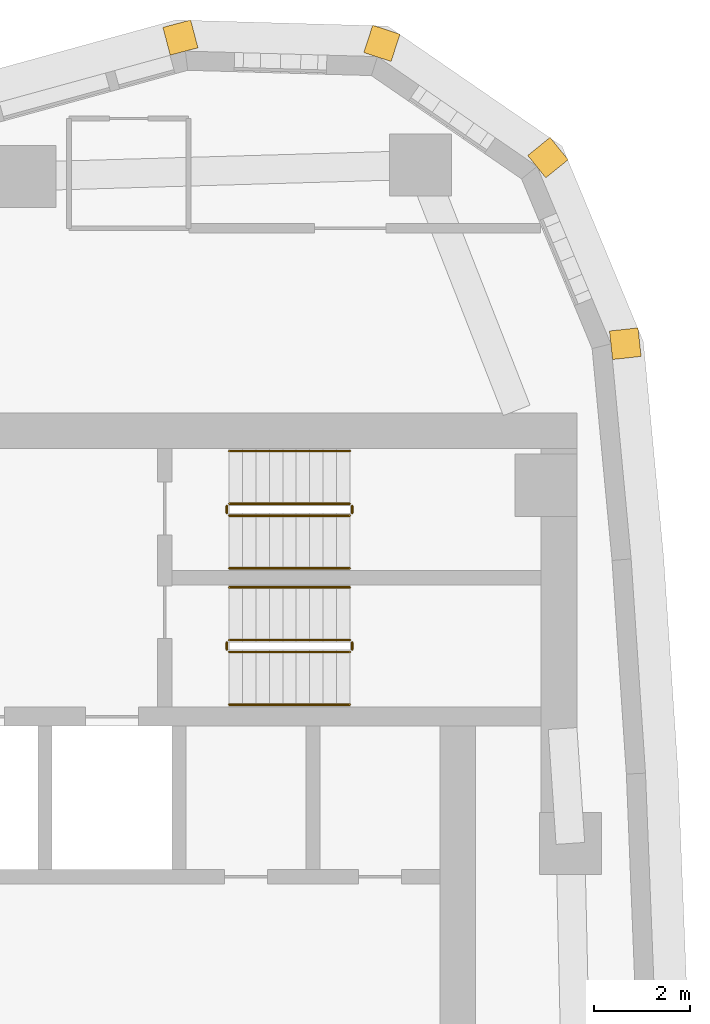
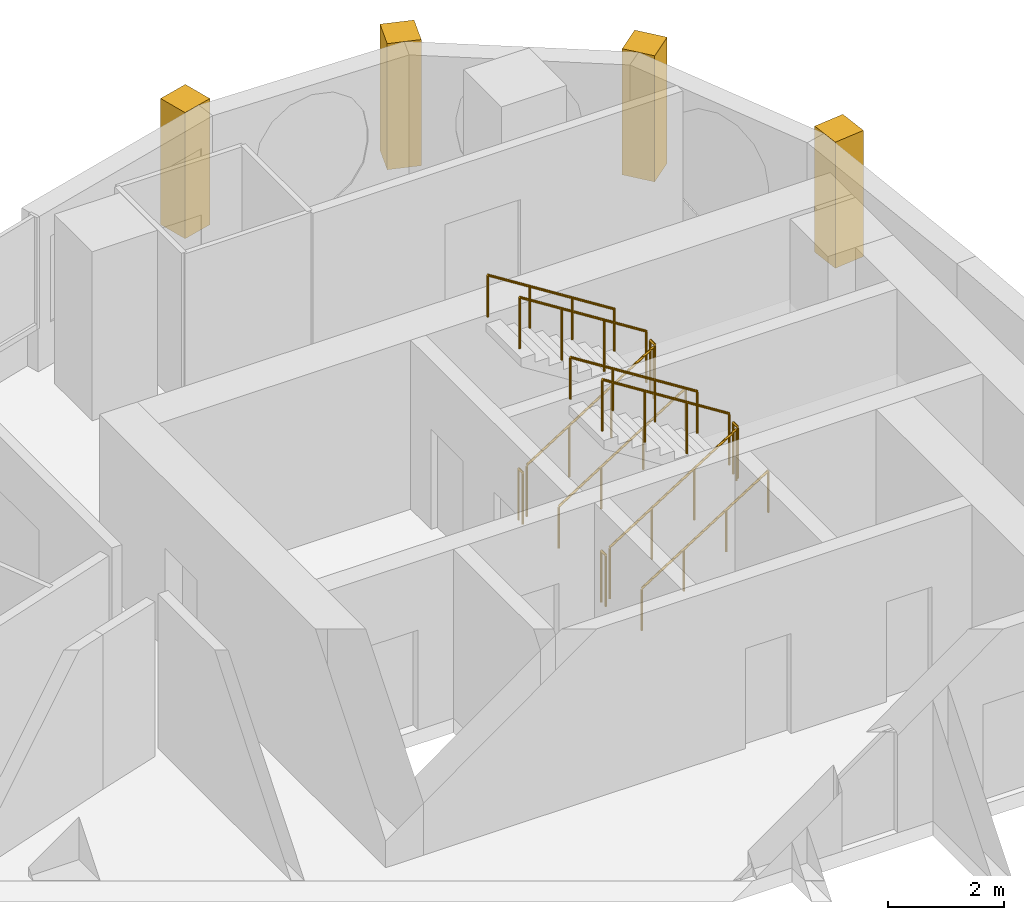
# One storey, part 16 of 16: 12 railings, 4 coverings.
"""IFC4 building model written with IfcOpenShell, lengths in metres."""

from ifc_helpers import new_model, si_unit, direction, frame, frame_2d, origin, origin_2d, place, context, subcontext, project, spatial, rectangle, circle, extrude, material, layer, layer_set, type_object, element, save


model = new_model("IFC4")

# Units and contexts
model_context = context("Model", 3, precision=1e-05, world=origin(), true_north=direction((0.0, 1.0)))
body_context = subcontext(model_context, "Body", "Model", "MODEL_VIEW")
ifc_project = project(units=[si_unit("LENGTHUNIT", "METRE"), si_unit("AREAUNIT", "SQUARE_METRE"), si_unit("VOLUMEUNIT", "CUBIC_METRE"), si_unit("PLANEANGLEUNIT", "RADIAN"), si_unit("MASSUNIT", "GRAM", prefix="KILO")], contexts=[model_context])

# Site, building, storey
site_placement = place(None, origin())
site = spatial("IfcSite", under=ifc_project, at=site_placement, CompositionType="ELEMENT")
building_placement = place(site_placement, origin())
building = spatial("IfcBuilding", under=site, at=building_placement, Name="Ostrand Prow Hotel Tower", CompositionType="ELEMENT")
storey_placement = place(building_placement, frame((0.0, 0.0, 186.14990234375)))
storey = spatial("IfcBuildingStorey", under=building, at=storey_placement, Name="L46", CompositionType="ELEMENT", Elevation=186.14990234375)

# Coverings
ifc_material_1 = material(Name="Limestone cladding", Category="masonry")
ifc_layer = layer(ifc_material_1, 0.60009765625)
ifc_layer_set = layer_set([ifc_layer], Name="Limestone cladding")
covering_type = type_object("IfcCoveringType", Name="Precast stone prow rib 600x600", PredefinedType="CLADDING", material=ifc_layer_set)
for number, where, z_axis, x_axis, name in (
    (1, (65.18017578125, 17.9111328125, 0.60009765625), (0.0, 0.0, 1.0), (0.994255138911, 0.107036062846, 0.0), "Stone corner rib 13a"),
    (2, (63.6279296875, 21.643798828125, 0.60009765625), (0.0, 0.0, 1.0), (0.776922530767, 0.62959620487, 0.0), "Stone corner rib 14a"),
    (3, (60.297607421875, 23.935302734375, 0.60009765625), (0.0, 0.0, 1.0), (0.310484329644, 0.950578498098, 0.0), "Stone corner rib 15a"),
    (4, (56.256591796875, 24.05126953125, 0.60009765625), (0.0, 0.0, 1.0), (-0.255154261231, 0.966900358349, 0.0), "Stone corner rib 15b"),
):
    element("IfcCovering", number, at=place(storey_placement, frame(where, z_axis=z_axis, x_axis=x_axis)), inside=storey, type_object=covering_type, Name=name, PredefinedType="CLADDING", context=body_context, shape_type="SweptSolid", body=[
        extrude(rectangle(XDim=0.599853515625, YDim=0.60009765625, at=frame_2d((0.2998046875, 0.0))), origin(), (0.0, 0.0, 1.0), 2.64990234375),
    ])

# Railings
ifc_material_2 = material(Name="Painted steel", Category="steel")
railing_type_1 = type_object("IfcRailingType", Name="Stair guard 1100", PredefinedType="GUARDRAIL", material=ifc_material_2)
railing_1_placement = place(storey_placement, frame((57.199951171875, 11.5, 0.177490234375)))
element("IfcRailing", 5, at=railing_1_placement, inside=storey, type_object=railing_type_1, Name="L46 ST1C stair guard 1", PredefinedType="GUARDRAIL", context=body_context, shape_type="SweptSolid", body=[
    extrude(circle(Radius=0.02392578125, at=origin_2d()), frame((0.0, 0.0, 1.076171875), z_axis=(0.84456994832, 0.0, 0.535445237532), x_axis=(0.0, 1.0, 0.0)), (0.0, 0.0, 1.0), 2.98388671875),
    extrude(circle(Radius=0.02099609375, at=origin_2d()), origin(), (0.0, 0.0, 1.0), 1.052001953125),
    extrude(circle(Radius=0.02099609375, at=origin_2d()), frame((0.840087890625, 0.0, 0.532470703125)), (0.0, 0.0, 1.0), 1.052001953125),
    extrude(circle(Radius=0.02099609375, at=origin_2d()), frame((1.679931640625, 0.0, 1.065185546875)), (0.0, 0.0, 1.0), 1.052001953125),
    extrude(circle(Radius=0.02099609375, at=origin_2d()), frame((2.52001953125, 0.0, 1.59765625)), (0.0, 0.0, 1.0), 1.052001953125),
])
railing_2_placement = place(storey_placement, frame((59.77001953125, 11.550048828125, 1.775146484375)))
element("IfcRailing", 6, at=railing_2_placement, inside=storey, type_object=railing_type_1, Name="L46 ST1C stair guard 2", PredefinedType="GUARDRAIL", context=body_context, shape_type="SweptSolid", body=[
    extrude(circle(Radius=0.02392578125, at=origin_2d()), frame((0.0, 0.0, 1.076171875), z_axis=(0.0, 1.0, 0.0), x_axis=(-1.0, 0.0, 0.0)), (0.0, 0.0, 1.0), 0.14990234375),
    extrude(circle(Radius=0.02099609375, at=origin_2d()), origin(), (0.0, 0.0, 1.0), 1.052001953125),
    extrude(circle(Radius=0.02099609375, at=origin_2d()), frame((0.0, 0.14990234375, 0.0)), (0.0, 0.0, 1.0), 1.052001953125),
])
railing_3_placement = place(storey_placement, frame((59.719970703125, 11.75, 1.95263671875)))
element("IfcRailing", 7, at=railing_3_placement, inside=storey, type_object=railing_type_1, Name="L46 ST1C stair guard 3", PredefinedType="GUARDRAIL", context=body_context, shape_type="SweptSolid", body=[
    extrude(circle(Radius=0.02392578125, at=origin_2d()), frame((0.0, 0.0, 1.076171875), z_axis=(-0.84460694969, 0.0, 0.535386869969), x_axis=(0.0, -1.0, 0.0)), (0.0, 0.0, 1.0), 2.983642578125),
    extrude(circle(Radius=0.02099609375, at=origin_2d()), origin(), (0.0, 0.0, 1.0), 1.052001953125),
    extrude(circle(Radius=0.02099609375, at=origin_2d()), frame((-0.840087890625, 0.0, 0.532470703125)), (0.0, 0.0, 1.0), 1.052001953125),
    extrude(circle(Radius=0.02099609375, at=origin_2d()), frame((-1.679931640625, 0.0, 1.06494140625)), (0.0, 0.0, 1.0), 1.052001953125),
    extrude(circle(Radius=0.02099609375, at=origin_2d()), frame((-2.52001953125, 0.0, 1.597412109375)), (0.0, 0.0, 1.0), 1.052001953125),
])
railing_4_placement = place(storey_placement, frame((57.14990234375, 11.550048828125, 0.0)))
element("IfcRailing", 8, at=railing_4_placement, inside=storey, type_object=railing_type_1, Name="L46 ST1C stair guard 4", PredefinedType="GUARDRAIL", context=body_context, shape_type="SweptSolid", body=[
    extrude(circle(Radius=0.02392578125, at=origin_2d()), frame((0.0, 0.0, 1.076171875), z_axis=(0.0, 1.0, 0.0), x_axis=(-1.0, 0.0, 0.0)), (0.0, 0.0, 1.0), 0.14990234375),
    extrude(circle(Radius=0.02099609375, at=origin_2d()), origin(), (0.0, 0.0, 1.0), 1.052001953125),
    extrude(circle(Radius=0.02099609375, at=origin_2d()), frame((0.0, 0.14990234375, 0.0)), (0.0, 0.0, 1.0), 1.052001953125),
])
railing_5_placement = place(storey_placement, frame((57.199951171875, 14.35009765625, 0.177490234375)))
element("IfcRailing", 9, at=railing_5_placement, inside=storey, type_object=railing_type_1, Name="L46 ST3C stair guard 1", PredefinedType="GUARDRAIL", context=body_context, shape_type="SweptSolid", body=[
    extrude(circle(Radius=0.02392578125, at=origin_2d()), frame((0.0, 0.0, 1.076171875), z_axis=(0.84456994832, 0.0, 0.535445237532), x_axis=(0.0, 1.0, 0.0)), (0.0, 0.0, 1.0), 2.98388671875),
    extrude(circle(Radius=0.02099609375, at=origin_2d()), origin(), (0.0, 0.0, 1.0), 1.052001953125),
    extrude(circle(Radius=0.02099609375, at=origin_2d()), frame((0.840087890625, 0.0, 0.532470703125)), (0.0, 0.0, 1.0), 1.052001953125),
    extrude(circle(Radius=0.02099609375, at=origin_2d()), frame((1.679931640625, 0.0, 1.065185546875)), (0.0, 0.0, 1.0), 1.052001953125),
    extrude(circle(Radius=0.02099609375, at=origin_2d()), frame((2.52001953125, 0.0, 1.59765625)), (0.0, 0.0, 1.0), 1.052001953125),
])
railing_6_placement = place(storey_placement, frame((59.77001953125, 14.39990234375, 1.775146484375)))
element("IfcRailing", 10, at=railing_6_placement, inside=storey, type_object=railing_type_1, Name="L46 ST3C stair guard 2", PredefinedType="GUARDRAIL", context=body_context, shape_type="SweptSolid", body=[
    extrude(circle(Radius=0.02392578125, at=origin_2d()), frame((0.0, 0.0, 1.076171875), z_axis=(0.0, 1.0, 0.0), x_axis=(-1.0, 0.0, 0.0)), (0.0, 0.0, 1.0), 0.150146484375),
    extrude(circle(Radius=0.02099609375, at=origin_2d()), origin(), (0.0, 0.0, 1.0), 1.052001953125),
    extrude(circle(Radius=0.02099609375, at=origin_2d()), frame((0.0, 0.150146484375, 0.0)), (0.0, 0.0, 1.0), 1.052001953125),
])
railing_7_placement = place(storey_placement, frame((59.719970703125, 14.60009765625, 1.95263671875)))
element("IfcRailing", 11, at=railing_7_placement, inside=storey, type_object=railing_type_1, Name="L46 ST3C stair guard 3", PredefinedType="GUARDRAIL", context=body_context, shape_type="SweptSolid", body=[
    extrude(circle(Radius=0.02392578125, at=origin_2d()), frame((0.0, 0.0, 1.076171875), z_axis=(-0.84460694969, 0.0, 0.535386869969), x_axis=(0.0, -1.0, 0.0)), (0.0, 0.0, 1.0), 2.983642578125),
    extrude(circle(Radius=0.02099609375, at=origin_2d()), origin(), (0.0, 0.0, 1.0), 1.052001953125),
    extrude(circle(Radius=0.02099609375, at=origin_2d()), frame((-0.840087890625, 0.0, 0.532470703125)), (0.0, 0.0, 1.0), 1.052001953125),
    extrude(circle(Radius=0.02099609375, at=origin_2d()), frame((-1.679931640625, 0.0, 1.06494140625)), (0.0, 0.0, 1.0), 1.052001953125),
    extrude(circle(Radius=0.02099609375, at=origin_2d()), frame((-2.52001953125, 0.0, 1.597412109375)), (0.0, 0.0, 1.0), 1.052001953125),
])
railing_8_placement = place(storey_placement, frame((57.14990234375, 14.39990234375, 0.0)))
element("IfcRailing", 12, at=railing_8_placement, inside=storey, type_object=railing_type_1, Name="L46 ST3C stair guard 4", PredefinedType="GUARDRAIL", context=body_context, shape_type="SweptSolid", body=[
    extrude(circle(Radius=0.02392578125, at=origin_2d()), frame((0.0, 0.0, 1.076171875), z_axis=(0.0, 1.0, 0.0), x_axis=(-1.0, 0.0, 0.0)), (0.0, 0.0, 1.0), 0.150146484375),
    extrude(circle(Radius=0.02099609375, at=origin_2d()), origin(), (0.0, 0.0, 1.0), 1.052001953125),
    extrude(circle(Radius=0.02099609375, at=origin_2d()), frame((0.0, 0.150146484375, 0.0)), (0.0, 0.0, 1.0), 1.052001953125),
])
ifc_material_3 = material(Name="Stainless steel", Category="steel")
railing_type_2 = type_object("IfcRailingType", Name="Stair handrail 900", PredefinedType="HANDRAIL", material=ifc_material_3)
railing_9_placement = place(storey_placement, frame((57.199951171875, 10.39990234375, 0.177490234375)))
element("IfcRailing", 13, at=railing_9_placement, inside=storey, type_object=railing_type_2, Name="L46 ST1C stair handrail 1", PredefinedType="HANDRAIL", context=body_context, shape_type="SweptSolid", body=[
    extrude(circle(Radius=0.02392578125, at=origin_2d()), frame((0.0, 0.0, 0.8759765625), z_axis=(0.84456994832, 0.0, 0.535445237532), x_axis=(0.0, 1.0, 0.0)), (0.0, 0.0, 1.0), 2.98388671875),
    extrude(circle(Radius=0.02099609375, at=origin_2d()), origin(), (0.0, 0.0, 1.0), 0.851806640625),
    extrude(circle(Radius=0.02099609375, at=origin_2d()), frame((0.840087890625, 0.0, 0.532470703125)), (0.0, 0.0, 1.0), 0.851806640625),
    extrude(circle(Radius=0.02099609375, at=origin_2d()), frame((1.679931640625, 0.0, 1.065185546875)), (0.0, 0.0, 1.0), 0.851806640625),
    extrude(circle(Radius=0.02099609375, at=origin_2d()), frame((2.52001953125, 0.0, 1.59765625)), (0.0, 0.0, 1.0), 0.851806640625),
])
railing_10_placement = place(storey_placement, frame((59.719970703125, 12.85009765625, 1.95263671875)))
element("IfcRailing", 14, at=railing_10_placement, inside=storey, type_object=railing_type_2, Name="L46 ST1C stair handrail 2", PredefinedType="HANDRAIL", context=body_context, shape_type="SweptSolid", body=[
    extrude(circle(Radius=0.02392578125, at=origin_2d()), frame((0.0, 0.0, 0.8759765625), z_axis=(-0.84460694969, 0.0, 0.535386869969), x_axis=(0.0, -1.0, 0.0)), (0.0, 0.0, 1.0), 2.983642578125),
    extrude(circle(Radius=0.02099609375, at=origin_2d()), origin(), (0.0, 0.0, 1.0), 0.851806640625),
    extrude(circle(Radius=0.02099609375, at=origin_2d()), frame((-0.840087890625, 0.0, 0.532470703125)), (0.0, 0.0, 1.0), 0.851806640625),
    extrude(circle(Radius=0.02099609375, at=origin_2d()), frame((-1.679931640625, 0.0, 1.06494140625)), (0.0, 0.0, 1.0), 0.851806640625),
    extrude(circle(Radius=0.02099609375, at=origin_2d()), frame((-2.52001953125, 0.0, 1.597412109375)), (0.0, 0.0, 1.0), 0.851806640625),
])
railing_11_placement = place(storey_placement, frame((57.199951171875, 13.25, 0.177490234375)))
element("IfcRailing", 15, at=railing_11_placement, inside=storey, type_object=railing_type_2, Name="L46 ST3C stair handrail 1", PredefinedType="HANDRAIL", context=body_context, shape_type="SweptSolid", body=[
    extrude(circle(Radius=0.02392578125, at=origin_2d()), frame((0.0, 0.0, 0.8759765625), z_axis=(0.84456994832, 0.0, 0.535445237532), x_axis=(0.0, 1.0, 0.0)), (0.0, 0.0, 1.0), 2.98388671875),
    extrude(circle(Radius=0.02099609375, at=origin_2d()), origin(), (0.0, 0.0, 1.0), 0.851806640625),
    extrude(circle(Radius=0.02099609375, at=origin_2d()), frame((0.840087890625, 0.0, 0.532470703125)), (0.0, 0.0, 1.0), 0.851806640625),
    extrude(circle(Radius=0.02099609375, at=origin_2d()), frame((1.679931640625, 0.0, 1.065185546875)), (0.0, 0.0, 1.0), 0.851806640625),
    extrude(circle(Radius=0.02099609375, at=origin_2d()), frame((2.52001953125, 0.0, 1.59765625)), (0.0, 0.0, 1.0), 0.851806640625),
])
railing_12_placement = place(storey_placement, frame((59.719970703125, 15.699951171875, 1.95263671875)))
element("IfcRailing", 16, at=railing_12_placement, inside=storey, type_object=railing_type_2, Name="L46 ST3C stair handrail 2", PredefinedType="HANDRAIL", context=body_context, shape_type="SweptSolid", body=[
    extrude(circle(Radius=0.02392578125, at=origin_2d()), frame((0.0, 0.0, 0.8759765625), z_axis=(-0.84460694969, 0.0, 0.535386869969), x_axis=(0.0, -1.0, 0.0)), (0.0, 0.0, 1.0), 2.983642578125),
    extrude(circle(Radius=0.02099609375, at=origin_2d()), origin(), (0.0, 0.0, 1.0), 0.851806640625),
    extrude(circle(Radius=0.02099609375, at=origin_2d()), frame((-0.840087890625, 0.0, 0.532470703125)), (0.0, 0.0, 1.0), 0.851806640625),
    extrude(circle(Radius=0.02099609375, at=origin_2d()), frame((-1.679931640625, 0.0, 1.06494140625)), (0.0, 0.0, 1.0), 0.851806640625),
    extrude(circle(Radius=0.02099609375, at=origin_2d()), frame((-2.52001953125, 0.0, 1.597412109375)), (0.0, 0.0, 1.0), 0.851806640625),
])

save(model, "model.ifc")
